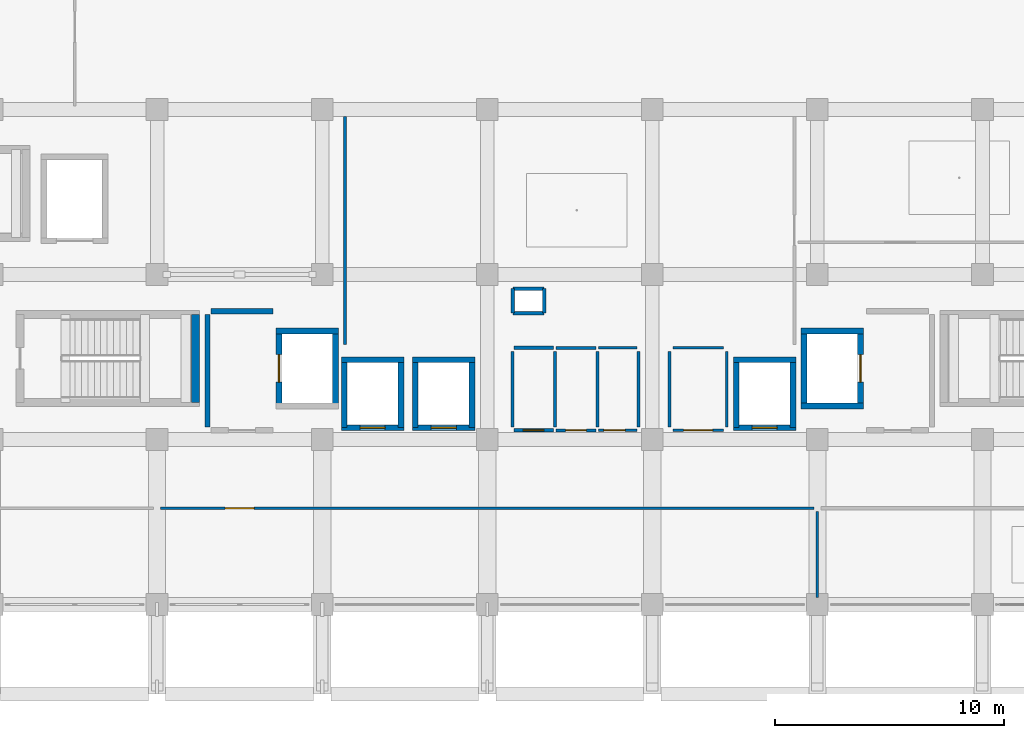
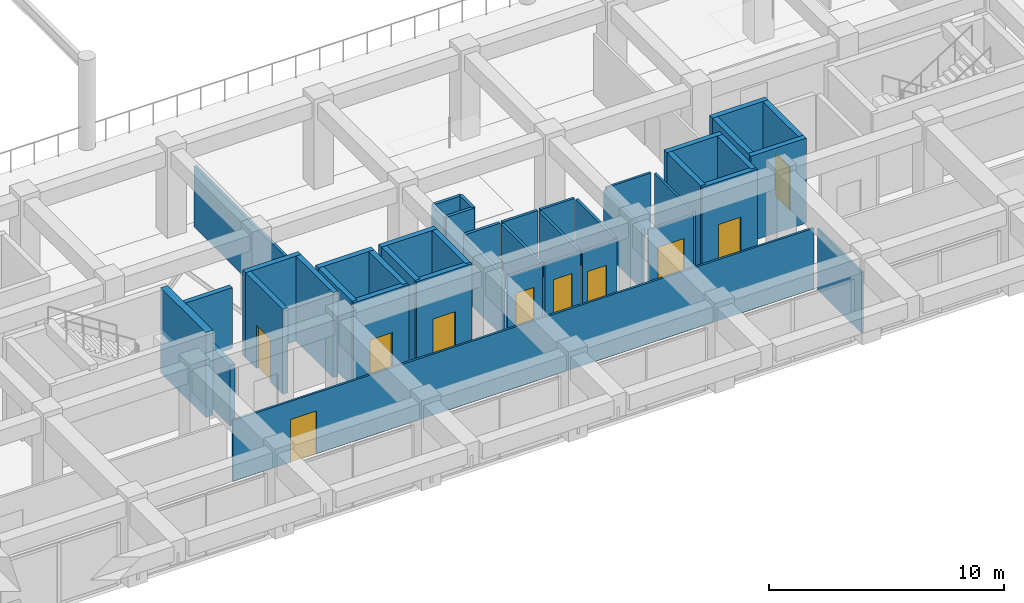
# One storey, part 34 of 54: 43 walls, 10 doors, 10 openings.
"""IFC4 building model written with IfcOpenShell, lengths in metres."""

from ifc_helpers import new_model, si_unit, direction, frame, frame_2d, origin, place, context, subcontext, project, spatial, rectangle, extrude, material, layer, layer_set, type_object, element, fill, save


model = new_model("IFC4")

# Units and contexts
model_context = context("Model", 3, precision=1e-05, world=origin(), true_north=direction((0.0, 1.0)))
body_context = subcontext(model_context, "Body", "Model", "MODEL_VIEW")
ifc_project = project(units=[si_unit("LENGTHUNIT", "METRE"), si_unit("AREAUNIT", "SQUARE_METRE"), si_unit("VOLUMEUNIT", "CUBIC_METRE"), si_unit("PLANEANGLEUNIT", "RADIAN"), si_unit("MASSUNIT", "GRAM", prefix="KILO")], contexts=[model_context])

# Site, building, storey
site_placement = place(None, origin())
site = spatial("IfcSite", under=ifc_project, at=site_placement, CompositionType="ELEMENT")
building_placement = place(site_placement, origin())
building = spatial("IfcBuilding", under=site, at=building_placement, Name="Kazehaya Institute of Natural Sciences", CompositionType="ELEMENT")
storey_placement = place(building_placement, frame((0.0, 0.0, 10.43994140625)))
storey = spatial("IfcBuildingStorey", under=building, at=storey_placement, Name="L02", CompositionType="ELEMENT", Elevation=10.43994140625)

# Walls
ifc_material_1 = material(Name="Concrete Fc42", Category="concrete")
ifc_layer_1 = layer(ifc_material_1, 0.35009765625, Name="Concrete Fc42", Category="concrete")
ifc_layer_set_1 = layer_set([ifc_layer_1], Name="Concrete Fc42")
wall_type_1 = type_object("IfcWallType", Name="WL-CORE-350", PredefinedType="SHEAR", material=ifc_layer_set_1)
wall_1_placement = place(storey_placement, frame((70.679931640625, 26.659912109375, 0.0), z_axis=(0.0, 0.0, 1.0), x_axis=(0.0, -1.0, 0.0)))
element("IfcWall", 1, at=wall_1_placement, inside=storey, type_object=wall_type_1, Name="L02 ST-1 core wall E", PredefinedType="SHEAR", context=body_context, shape_type="SweptSolid", body=[
    extrude(rectangle(XDim=3.83984375, YDim=0.35009765625, at=frame_2d((1.919921875, 0.0))), origin(), (0.0, 0.0, 1.0), 4.41015625),
])
ifc_material_2 = material(Name="Concrete Fc36", Category="concrete")
ifc_layer_2 = layer(ifc_material_2, 0.22998046875, Name="Concrete Fc36", Category="concrete")
ifc_layer_set_2 = layer_set([ifc_layer_2], Name="Concrete Fc36")
wall_type_2 = type_object("IfcWallType", Name="WL-FFL-230", PredefinedType="PARTITIONING", material=ifc_layer_set_2)
wall_2_placement = place(storey_placement, frame((71.35009765625, 26.800048828125, 0.0), z_axis=(0.0, 0.0, 1.0), x_axis=(1.0, 0.0, 0.0)))
element("IfcWall", 2, at=wall_2_placement, inside=storey, type_object=wall_type_2, Name="L02 West Firefighting Lift Lobby partition IW-L02-0130", PredefinedType="PARTITIONING", context=body_context, shape_type="SweptSolid", body=[
    extrude(rectangle(XDim=2.699951171875, YDim=0.22998046875, at=frame_2d((1.35009765625, 0.0))), origin(), (0.0, 0.0, 1.0), 3.16015625),
])
wall_3_placement = place(storey_placement, frame((71.199951171875, 21.75, 0.0), z_axis=(0.0, 0.0, 1.0), x_axis=(0.0, 1.0, 0.0)))
element("IfcWall", 3, at=wall_3_placement, inside=storey, type_object=wall_type_2, Name="L02 West Firefighting Lift Lobby partition IW-L02-0131", PredefinedType="PARTITIONING", context=body_context, shape_type="SweptSolid", body=[
    extrude(rectangle(XDim=4.89990234375, YDim=0.22998046875, at=frame_2d((2.449951171875, 0.0))), origin(), (0.0, 0.0, 1.0), 3.16015625),
])

# Wall, opening, door
ifc_material_3 = material(Name="Lightweight chase partition")
ifc_layer_3 = layer(ifc_material_3, 0.10009765625, Name="Lightweight chase partition")
ifc_layer_set_3 = layer_set([ifc_layer_3], Name="Lightweight chase partition")
wall_type_3 = type_object("IfcWallType", Name="WL-PART-100", PredefinedType="PARTITIONING", material=ifc_layer_set_3)
wall_4_placement = place(storey_placement, frame((69.14990234375, 18.199951171875, 0.0), z_axis=(0.0, 0.0, 1.0), x_axis=(1.0, 0.0, 0.0)))
wall_4 = element("IfcWall", 4, at=wall_4_placement, inside=storey, type_object=wall_type_3, Name="L02 Inorganic Synthesis Laboratory partition IW-L02-0150", PredefinedType="PARTITIONING", context=body_context, shape_type="SweptSolid", body=[
    extrude(rectangle(XDim=28.5, YDim=0.10009765625, at=frame_2d((14.25, 0.0))), origin(), (0.0, 0.0, 1.0), 3.16015625),
])
opening_1_placement = place(wall_4_placement, frame((2.81494140625, 0.0, 0.0)))
opening_1 = element("IfcOpeningElement", 5, at=opening_1_placement, cuts=wall_4, Name="Opening D-L02-0105", PredefinedType="OPENING", context=body_context, shape_type="SweptSolid", body=[
    extrude(rectangle(XDim=1.27001953125, YDim=2.219970703125, at=frame_2d((0.635009765625, 1.10986328125))), frame((0.0, 0.06005859375, 0.0), z_axis=(0.0, -1.0, 0.0), x_axis=(1.0, 0.0, 0.0)), (0.0, 0.0, 1.0), 0.1201171875),
])
ifc_material_4 = material(Name="Flush timber and aluminium laboratory door", Category="wood")
door_type_1 = type_object("IfcDoorType", Name="DT-INT-44", OperationType="NOTDEFINED", PredefinedType="DOOR", material=ifc_material_4)
door_1_placement = place(opening_1_placement, origin())
door_1 = element("IfcDoor", 6, at=door_1_placement, inside=storey, type_object=door_type_1, Name="L02 Inorganic Synthesis Laboratory door D-L02-0105", OperationType="SINGLE_SWING_LEFT", OverallHeight=2.219970703125, OverallWidth=1.27001953125, PredefinedType="DOOR", context=body_context, shape_type="SweptSolid", body=[
    extrude(rectangle(XDim=1.27001953125, YDim=2.219970703125, at=frame_2d((0.635009765625, 1.10986328125))), frame((0.0, 0.02490234375, 0.0), z_axis=(0.0, -1.0, 0.0), x_axis=(1.0, 0.0, 0.0)), (0.0, 0.0, 1.0), 0.050048828125),
])
fill(opening_1, door_1)

# Wall
wall_5_placement = place(storey_placement, frame((97.800048828125, 18.050048828125, 0.0), z_axis=(0.0, 0.0, 1.0), x_axis=(0.0, -1.0, 0.0)))
element("IfcWall", 7, at=wall_5_placement, inside=storey, type_object=wall_type_3, Name="L02 Inorganic Synthesis Laboratory partition IW-L02-0151", PredefinedType="PARTITIONING", context=body_context, shape_type="SweptSolid", body=[
    extrude(rectangle(XDim=3.75, YDim=0.10009765625, at=frame_2d((1.875, 0.0))), origin(), (0.0, 0.0, 1.0), 3.16015625),
])

# Wall, opening, door
ifc_material_5 = material(Name="Glazed office demountable partition")
ifc_layer_4 = layer(ifc_material_5, 0.110107421875, Name="Glazed office demountable partition")
ifc_layer_set_4 = layer_set([ifc_layer_4], Name="Glazed office demountable partition")
wall_type_4 = type_object("IfcWallType", Name="WL-PART-110", PredefinedType="PARTITIONING", material=ifc_layer_set_4)
wall_6_placement = place(storey_placement, frame((93.699951171875, 21.60009765625, 0.0), z_axis=(0.0, 0.0, 1.0), x_axis=(-1.0, 0.0, 0.0)))
wall_6 = element("IfcWall", 8, at=wall_6_placement, inside=storey, type_object=wall_type_4, Name="L02 Ostomate WC partition IW-L02-0145", PredefinedType="PARTITIONING", context=body_context, shape_type="SweptSolid", body=[
    extrude(rectangle(XDim=2.199951171875, YDim=0.110107421875, at=frame_2d((1.10009765625, 0.0))), origin(), (0.0, 0.0, 1.0), 3.16015625),
])
opening_2_placement = place(wall_6_placement, frame((0.465087890625, 0.0, 0.0)))
opening_2 = element("IfcOpeningElement", 9, at=opening_2_placement, cuts=wall_6, Name="Opening D-L02-0103", PredefinedType="OPENING", context=body_context, shape_type="SweptSolid", body=[
    extrude(rectangle(XDim=1.27001953125, YDim=2.10009765625, at=frame_2d((0.635009765625, 1.050048828125))), frame((0.0, 0.06494140625, 0.0), z_axis=(0.0, -1.0, 0.0), x_axis=(1.0, 0.0, 0.0)), (0.0, 0.0, 1.0), 0.130126953125),
])
door_type_2 = type_object("IfcDoorType", Name="DT-INT-42", OperationType="NOTDEFINED", PredefinedType="DOOR", material=ifc_material_4)
door_2_placement = place(opening_2_placement, origin())
door_2 = element("IfcDoor", 10, at=door_2_placement, inside=storey, type_object=door_type_2, Name="L02 Ostomate WC door D-L02-0103", OperationType="SINGLE_SWING_LEFT", OverallHeight=2.10009765625, OverallWidth=1.27001953125, PredefinedType="DOOR", context=body_context, shape_type="SweptSolid", body=[
    extrude(rectangle(XDim=1.27001953125, YDim=2.10009765625, at=frame_2d((0.635009765625, 1.050048828125))), frame((0.0, 0.02490234375, 0.0), z_axis=(0.0, -1.0, 0.0), x_axis=(1.0, 0.0, 0.0)), (0.0, 0.0, 1.0), 0.050048828125),
])
fill(opening_2, door_2)

# Walls
wall_7_placement = place(storey_placement, frame((91.5, 25.199951171875, 0.0), z_axis=(0.0, 0.0, 1.0), x_axis=(1.0, 0.0, 0.0)))
element("IfcWall", 11, at=wall_7_placement, inside=storey, type_object=wall_type_4, Name="L02 Ostomate WC partition IW-L02-0146", PredefinedType="PARTITIONING", context=body_context, shape_type="SweptSolid", body=[
    extrude(rectangle(XDim=2.199951171875, YDim=0.110107421875, at=frame_2d((1.10009765625, 0.0))), origin(), (0.0, 0.0, 1.0), 3.16015625),
])
for number, where, z_axis, x_axis, name in (
    (12, (91.35009765625, 21.75, 0.0), (0.0, 0.0, 1.0), (0.0, 1.0, 0.0), "L02 Ostomate WC partition IW-L02-0147"),
    (13, (93.85009765625, 25.050048828125, 0.0), (0.0, 0.0, 1.0), (0.0, -1.0, 0.0), "L02 Ostomate WC partition IW-L02-0148"),
):
    element("IfcWall", number, at=place(storey_placement, frame(where, z_axis=z_axis, x_axis=x_axis)), inside=storey, type_object=wall_type_4, Name=name, PredefinedType="PARTITIONING", context=body_context, shape_type="SweptSolid", body=[
        extrude(rectangle(XDim=3.300048828125, YDim=0.110107421875, at=frame_2d((1.64990234375, 0.0))), origin(), (0.0, 0.0, 1.0), 3.16015625),
    ])

# Wall, opening, door
ifc_material_6 = material(Name="Gypsum write-up office partition", Category="gypsum")
ifc_layer_5 = layer(ifc_material_6, 0.1201171875, Name="Gypsum write-up office partition", Category="gypsum")
ifc_layer_set_5 = layer_set([ifc_layer_5], Name="Gypsum write-up office partition")
wall_type_5 = type_object("IfcWallType", Name="WL-PART-120", PredefinedType="PARTITIONING", material=ifc_layer_set_5)
wall_8_placement = place(storey_placement, frame((89.93994140625, 21.60009765625, 0.0), z_axis=(0.0, 0.0, 1.0), x_axis=(-1.0, 0.0, 0.0)))
wall_8 = element("IfcWall", 14, at=wall_8_placement, inside=storey, type_object=wall_type_5, Name="L02 Accessible WC partition IW-L02-0142", PredefinedType="PARTITIONING", context=body_context, shape_type="SweptSolid", body=[
    extrude(rectangle(XDim=1.679931640625, YDim=0.1201171875, at=frame_2d((0.83984375, 0.0))), origin(), (0.0, 0.0, 1.0), 3.16015625),
])
opening_3_placement = place(wall_8_placement, frame((0.52490234375, 0.0, 0.0)))
opening_3 = element("IfcOpeningElement", 15, at=opening_3_placement, cuts=wall_8, Name="Opening D-L02-0102", PredefinedType="OPENING", context=body_context, shape_type="SweptSolid", body=[
    extrude(rectangle(XDim=0.929931640625, YDim=2.050048828125, at=frame_2d((0.46484375, 1.02490234375))), frame((0.0, 0.070068359375, 0.0), z_axis=(0.0, -1.0, 0.0), x_axis=(1.0, 0.0, 0.0)), (0.0, 0.0, 1.0), 0.14013671875),
])
door_type_3 = type_object("IfcDoorType", Name="DT-INT-05", OperationType="NOTDEFINED", PredefinedType="DOOR", material=ifc_material_4)
door_3_placement = place(opening_3_placement, origin())
door_3 = element("IfcDoor", 16, at=door_3_placement, inside=storey, type_object=door_type_3, Name="L02 Accessible WC door D-L02-0102", OperationType="SINGLE_SWING_RIGHT", OverallHeight=2.050048828125, OverallWidth=0.929931640625, PredefinedType="DOOR", context=body_context, shape_type="SweptSolid", body=[
    extrude(rectangle(XDim=0.929931640625, YDim=2.050048828125, at=frame_2d((0.46484375, 1.02490234375))), frame((0.0, 0.02490234375, 0.0), z_axis=(0.0, -1.0, 0.0), x_axis=(1.0, 0.0, 0.0)), (0.0, 0.0, 1.0), 0.050048828125),
])
fill(opening_3, door_3)

# Walls
wall_9_placement = place(storey_placement, frame((88.260009765625, 25.199951171875, 0.0), z_axis=(0.0, 0.0, 1.0), x_axis=(1.0, 0.0, 0.0)))
element("IfcWall", 17, at=wall_9_placement, inside=storey, type_object=wall_type_5, Name="L02 Accessible WC partition IW-L02-0143", PredefinedType="PARTITIONING", context=body_context, shape_type="SweptSolid", body=[
    extrude(rectangle(XDim=1.679931640625, YDim=0.1201171875, at=frame_2d((0.83984375, 0.0))), origin(), (0.0, 0.0, 1.0), 3.16015625),
])
wall_10_placement = place(storey_placement, frame((90.0, 25.050048828125, 0.0), z_axis=(0.0, 0.0, 1.0), x_axis=(0.0, -1.0, 0.0)))
element("IfcWall", 18, at=wall_10_placement, inside=storey, type_object=wall_type_5, Name="L02 Accessible WC partition IW-L02-0144", PredefinedType="PARTITIONING", context=body_context, shape_type="SweptSolid", body=[
    extrude(rectangle(XDim=3.300048828125, YDim=0.1201171875, at=frame_2d((1.64990234375, 0.0))), origin(), (0.0, 0.0, 1.0), 3.16015625),
])

# Wall, opening, door
ifc_material_7 = material(Name="Moisture-resistant WC partition")
ifc_layer_6 = layer(ifc_material_7, 0.1298828125, Name="Moisture-resistant WC partition")
ifc_layer_set_6 = layer_set([ifc_layer_6], Name="Moisture-resistant WC partition")
wall_type_6 = type_object("IfcWallType", Name="WL-PART-130", PredefinedType="PARTITIONING", material=ifc_layer_set_6)
wall_11_placement = place(storey_placement, frame((88.139892578125, 21.60009765625, 0.0), z_axis=(0.0, 0.0, 1.0), x_axis=(-1.0, 0.0, 0.0)))
wall_11 = element("IfcWall", 19, at=wall_11_placement, inside=storey, type_object=wall_type_6, Name="L02 Female WC partition IW-L02-0139", PredefinedType="PARTITIONING", context=body_context, shape_type="SweptSolid", body=[
    extrude(rectangle(XDim=1.72998046875, YDim=0.1298828125, at=frame_2d((0.864990234375, 0.0))), origin(), (0.0, 0.0, 1.0), 3.16015625),
])
opening_4_placement = place(wall_11_placement, frame((0.419921875, 0.0, 0.0)))
opening_4 = element("IfcOpeningElement", 20, at=opening_4_placement, cuts=wall_11, Name="Opening D-L02-0101", PredefinedType="OPENING", context=body_context, shape_type="SweptSolid", body=[
    extrude(rectangle(XDim=0.89990234375, YDim=2.219970703125, at=frame_2d((0.449951171875, 1.10986328125))), frame((0.0, 0.074951171875, 0.0), z_axis=(0.0, -1.0, 0.0), x_axis=(1.0, 0.0, 0.0)), (0.0, 0.0, 1.0), 0.14990234375),
])
door_type_4 = type_object("IfcDoorType", Name="DT-INT-04", OperationType="NOTDEFINED", PredefinedType="DOOR", material=ifc_material_4)
door_4_placement = place(opening_4_placement, origin())
door_4 = element("IfcDoor", 21, at=door_4_placement, inside=storey, type_object=door_type_4, Name="L02 Female WC door D-L02-0101", OperationType="SINGLE_SWING_LEFT", OverallHeight=2.219970703125, OverallWidth=0.89990234375, PredefinedType="DOOR", context=body_context, shape_type="SweptSolid", body=[
    extrude(rectangle(XDim=0.89990234375, YDim=2.219970703125, at=frame_2d((0.449951171875, 1.10986328125))), frame((0.0, 0.02490234375, 0.0), z_axis=(0.0, -1.0, 0.0), x_axis=(1.0, 0.0, 0.0)), (0.0, 0.0, 1.0), 0.050048828125),
])
fill(opening_4, door_4)

# Walls
wall_12_placement = place(storey_placement, frame((86.409912109375, 25.199951171875, 0.0), z_axis=(0.0, 0.0, 1.0), x_axis=(1.0, 0.0, 0.0)))
element("IfcWall", 22, at=wall_12_placement, inside=storey, type_object=wall_type_6, Name="L02 Female WC partition IW-L02-0140", PredefinedType="PARTITIONING", context=body_context, shape_type="SweptSolid", body=[
    extrude(rectangle(XDim=1.72998046875, YDim=0.1298828125, at=frame_2d((0.864990234375, 0.0))), origin(), (0.0, 0.0, 1.0), 3.16015625),
])
wall_13_placement = place(storey_placement, frame((88.199951171875, 25.050048828125, 0.0), z_axis=(0.0, 0.0, 1.0), x_axis=(0.0, -1.0, 0.0)))
element("IfcWall", 23, at=wall_13_placement, inside=storey, type_object=wall_type_6, Name="L02 Female WC partition IW-L02-0141", PredefinedType="PARTITIONING", context=body_context, shape_type="SweptSolid", body=[
    extrude(rectangle(XDim=3.300048828125, YDim=0.1298828125, at=frame_2d((1.64990234375, 0.0))), origin(), (0.0, 0.0, 1.0), 3.16015625),
])
wall_14_placement = place(storey_placement, frame((77.199951171875, 25.35009765625, 0.0), z_axis=(0.0, 0.0, 1.0), x_axis=(0.0, 1.0, 0.0)))
element("IfcWall", 24, at=wall_14_placement, inside=storey, type_object=wall_type_6, Name="L02 Chromatography Laboratory partition IW-L02-0153", PredefinedType="PARTITIONING", context=body_context, shape_type="SweptSolid", body=[
    extrude(rectangle(XDim=9.949951171875, YDim=0.1298828125, at=frame_2d((4.97509765625, 0.0))), origin(), (0.0, 0.0, 1.0), 3.16015625),
])

# Wall, opening, door
ifc_material_8 = material(Name="Gypsum partition", Category="gypsum")
ifc_layer_7 = layer(ifc_material_8, 0.139892578125, Name="Gypsum partition", Category="gypsum")
ifc_layer_set_7 = layer_set([ifc_layer_7], Name="Gypsum partition")
wall_type_7 = type_object("IfcWallType", Name="WL-PART-140", PredefinedType="PARTITIONING", material=ifc_layer_set_7)
wall_15_placement = place(storey_placement, frame((86.2900390625, 21.60009765625, 0.0), z_axis=(0.0, 0.0, 1.0), x_axis=(-1.0, 0.0, 0.0)))
wall_15 = element("IfcWall", 25, at=wall_15_placement, inside=storey, type_object=wall_type_7, Name="L02 Male WC partition IW-L02-0135", PredefinedType="PARTITIONING", context=body_context, shape_type="SweptSolid", body=[
    extrude(rectangle(XDim=1.72998046875, YDim=0.139892578125, at=frame_2d((0.864990234375, 0.0))), origin(), (0.0, 0.0, 1.0), 3.16015625),
])
opening_5_placement = place(wall_15_placement, frame((0.419921875, 0.0, 0.0)))
opening_5 = element("IfcOpeningElement", 26, at=opening_5_placement, cuts=wall_15, Name="Opening D-L02-0100", PredefinedType="OPENING", context=body_context, shape_type="SweptSolid", body=[
    extrude(rectangle(XDim=0.89990234375, YDim=2.159912109375, at=frame_2d((0.449951171875, 1.080078125))), frame((0.0, 0.079833984375, 0.0), z_axis=(0.0, -1.0, 0.0), x_axis=(1.0, 0.0, 0.0)), (0.0, 0.0, 1.0), 0.159912109375),
])
door_type_5 = type_object("IfcDoorType", Name="DT-INT-03", OperationType="NOTDEFINED", PredefinedType="DOOR", material=ifc_material_4)
door_5_placement = place(opening_5_placement, origin())
door_5 = element("IfcDoor", 27, at=door_5_placement, inside=storey, type_object=door_type_5, Name="L02 Male WC door D-L02-0100", OperationType="SINGLE_SWING_RIGHT", OverallHeight=2.159912109375, OverallWidth=0.89990234375, PredefinedType="DOOR", context=body_context, shape_type="SweptSolid", body=[
    extrude(rectangle(XDim=0.89990234375, YDim=2.159912109375, at=frame_2d((0.449951171875, 1.080078125))), frame((0.0, 0.02490234375, 0.0), z_axis=(0.0, -1.0, 0.0), x_axis=(1.0, 0.0, 0.0)), (0.0, 0.0, 1.0), 0.050048828125),
])
fill(opening_5, door_5)

# Walls
wall_16_placement = place(storey_placement, frame((84.56005859375, 25.199951171875, 0.0), z_axis=(0.0, 0.0, 1.0), x_axis=(1.0, 0.0, 0.0)))
element("IfcWall", 28, at=wall_16_placement, inside=storey, type_object=wall_type_7, Name="L02 Male WC partition IW-L02-0136", PredefinedType="PARTITIONING", context=body_context, shape_type="SweptSolid", body=[
    extrude(rectangle(XDim=1.72998046875, YDim=0.139892578125, at=frame_2d((0.864990234375, 0.0))), origin(), (0.0, 0.0, 1.0), 3.16015625),
])
for number, where, z_axis, x_axis, name in (
    (29, (84.5, 21.75, 0.0), (0.0, 0.0, 1.0), (0.0, 1.0, 0.0), "L02 Male WC partition IW-L02-0137"),
    (30, (86.35009765625, 25.050048828125, 0.0), (0.0, 0.0, 1.0), (0.0, -1.0, 0.0), "L02 Male WC partition IW-L02-0138"),
):
    element("IfcWall", number, at=place(storey_placement, frame(where, z_axis=z_axis, x_axis=x_axis)), inside=storey, type_object=wall_type_7, Name=name, PredefinedType="PARTITIONING", context=body_context, shape_type="SweptSolid", body=[
        extrude(rectangle(XDim=3.300048828125, YDim=0.139892578125, at=frame_2d((1.64990234375, 0.0))), origin(), (0.0, 0.0, 1.0), 3.16015625),
    ])
ifc_layer_8 = layer(ifc_material_2, 0.14990234375, Name="Concrete Fc36", Category="concrete")
ifc_layer_set_8 = layer_set([ifc_layer_8], Name="Concrete Fc36")
wall_type_8 = type_object("IfcWallType", Name="WL-RISER-150", PredefinedType="PARTITIONING", material=ifc_layer_set_8)
for number, where, z_axis, x_axis, name in (
    (31, (85.885009765625, 26.715087890625, 0.0), (0.0, 0.0, 1.0), (-1.0, 0.0, 0.0), "L02 fume exhaust riser shaft wall 25"),
    (32, (84.514892578125, 27.784912109375, 0.0), (0.0, 0.0, 1.0), (1.0, 0.0, 0.0), "L02 fume exhaust riser shaft wall 25"),
):
    element("IfcWall", number, at=place(storey_placement, frame(where, z_axis=z_axis, x_axis=x_axis)), inside=storey, type_object=wall_type_8, Name=name, PredefinedType="PARTITIONING", context=body_context, shape_type="SweptSolid", body=[
        extrude(rectangle(XDim=1.3701171875, YDim=0.14990234375, at=frame_2d((0.68505859375, 0.0))), origin(), (0.0, 0.0, 1.0), 3.16015625),
    ])
for number, where, z_axis, x_axis, name in (
    (33, (84.514892578125, 26.715087890625, 0.0), (0.0, 0.0, 1.0), (0.0, 1.0, 0.0), "L02 fume exhaust riser shaft wall 25"),
    (34, (85.885009765625, 27.784912109375, 0.0), (0.0, 0.0, 1.0), (0.0, -1.0, 0.0), "L02 fume exhaust riser shaft wall 25"),
):
    element("IfcWall", number, at=place(storey_placement, frame(where, z_axis=z_axis, x_axis=x_axis)), inside=storey, type_object=wall_type_8, Name=name, PredefinedType="PARTITIONING", context=body_context, shape_type="SweptSolid", body=[
        extrude(rectangle(XDim=1.06982421875, YDim=0.14990234375, at=frame_2d((0.534912109375, 0.0))), origin(), (0.0, 0.0, 1.0), 3.16015625),
    ])
ifc_layer_9 = layer(ifc_material_1, 0.25, Name="Concrete Fc42", Category="concrete")
ifc_layer_set_9 = layer_set([ifc_layer_9], Name="Concrete Fc42")
wall_type_9 = type_object("IfcWallType", Name="WL-SHAFT-250", PredefinedType="SHEAR", material=ifc_layer_set_9)
wall_17_placement = place(storey_placement, frame((74.18994140625, 25.93505859375, 0.0), z_axis=(0.0, 0.0, 1.0), x_axis=(1.0, 0.0, 0.0)))
element("IfcWall", 35, at=wall_17_placement, inside=storey, type_object=wall_type_9, Name="L02 EL07 lift shaft wall north", PredefinedType="SHEAR", context=body_context, shape_type="SweptSolid", body=[
    extrude(rectangle(XDim=2.719970703125, YDim=0.25, at=frame_2d((1.35986328125, 0.0))), origin(), (0.0, 0.0, 1.0), 4.41015625),
])

# Wall, opening, door
wall_18_placement = place(storey_placement, frame((74.31494140625, 22.6650390625, 0.0), z_axis=(0.0, 0.0, 1.0), x_axis=(0.0, 1.0, 0.0)))
wall_18 = element("IfcWall", 36, at=wall_18_placement, inside=storey, type_object=wall_type_9, Name="L02 EL07 lift shaft wall west", PredefinedType="SHEAR", context=body_context, shape_type="SweptSolid", body=[
    extrude(rectangle(XDim=3.27001953125, YDim=0.25, at=frame_2d((1.635009765625, 0.0))), origin(), (0.0, 0.0, 1.0), 4.41015625),
])
opening_6_placement = place(wall_18_placement, frame((1.034912109375, 0.0, 0.0)))
opening_6 = element("IfcOpeningElement", 37, at=opening_6_placement, cuts=wall_18, Name="Opening LD-04", PredefinedType="OPENING", context=body_context, shape_type="SweptSolid", body=[
    extrude(rectangle(XDim=1.199951171875, YDim=2.25, at=frame_2d((0.60009765625, 1.125))), frame((0.0, 0.135009765625, 0.0), z_axis=(0.0, -1.0, 0.0), x_axis=(1.0, 0.0, 0.0)), (0.0, 0.0, 1.0), 0.27001953125),
])
ifc_material_9 = material(Name="Stainless-steel emergency lift landing door", Category="steel")
door_type_6 = type_object("IfcDoorType", Name="DT-LD-1200x2250", OperationType="SLIDING_TO_LEFT", PredefinedType="DOOR", material=ifc_material_9)
door_6_placement = place(opening_6_placement, origin())
door_6 = element("IfcDoor", 38, at=door_6_placement, inside=storey, type_object=door_type_6, Name="L02 EL07 sliding landing door LD-04", OperationType="SLIDING_TO_LEFT", OverallHeight=2.25, OverallWidth=1.199951171875, PredefinedType="DOOR", context=body_context, shape_type="SweptSolid", body=[
    extrude(rectangle(XDim=1.199951171875, YDim=2.25, at=frame_2d((0.60009765625, 1.125))), frame((0.0, 0.02490234375, 0.0), z_axis=(0.0, -1.0, 0.0), x_axis=(1.0, 0.0, 0.0)), (0.0, 0.0, 1.0), 0.050048828125),
])
fill(opening_6, door_6)

# Walls
wall_19_placement = place(storey_placement, frame((76.784912109375, 25.93505859375, 0.0), z_axis=(0.0, 0.0, 1.0), x_axis=(0.0, -1.0, 0.0)))
element("IfcWall", 39, at=wall_19_placement, inside=storey, type_object=wall_type_9, Name="L02 EL07 lift shaft wall east", PredefinedType="SHEAR", context=body_context, shape_type="SweptSolid", body=[
    extrude(rectangle(XDim=3.27001953125, YDim=0.25, at=frame_2d((1.635009765625, 0.0))), origin(), (0.0, 0.0, 1.0), 4.41015625),
])
for number, where, z_axis, x_axis, name in (
    (40, (99.81005859375, 22.6650390625, 0.0), (0.0, 0.0, 1.0), (-1.0, 0.0, 0.0), "L02 EL08 lift shaft wall south"),
    (41, (97.090087890625, 25.93505859375, 0.0), (0.0, 0.0, 1.0), (1.0, 0.0, 0.0), "L02 EL08 lift shaft wall north"),
):
    element("IfcWall", number, at=place(storey_placement, frame(where, z_axis=z_axis, x_axis=x_axis)), inside=storey, type_object=wall_type_9, Name=name, PredefinedType="SHEAR", context=body_context, shape_type="SweptSolid", body=[
        extrude(rectangle(XDim=2.719970703125, YDim=0.25, at=frame_2d((1.35986328125, 0.0))), origin(), (0.0, 0.0, 1.0), 4.41015625),
    ])
wall_20_placement = place(storey_placement, frame((97.215087890625, 22.6650390625, 0.0), z_axis=(0.0, 0.0, 1.0), x_axis=(0.0, 1.0, 0.0)))
element("IfcWall", 42, at=wall_20_placement, inside=storey, type_object=wall_type_9, Name="L02 EL08 lift shaft wall west", PredefinedType="SHEAR", context=body_context, shape_type="SweptSolid", body=[
    extrude(rectangle(XDim=3.27001953125, YDim=0.25, at=frame_2d((1.635009765625, 0.0))), origin(), (0.0, 0.0, 1.0), 4.41015625),
])

# Wall, opening, door
wall_21_placement = place(storey_placement, frame((99.68505859375, 25.93505859375, 0.0), z_axis=(0.0, 0.0, 1.0), x_axis=(0.0, -1.0, 0.0)))
wall_21 = element("IfcWall", 43, at=wall_21_placement, inside=storey, type_object=wall_type_9, Name="L02 EL08 lift shaft wall east", PredefinedType="SHEAR", context=body_context, shape_type="SweptSolid", body=[
    extrude(rectangle(XDim=3.27001953125, YDim=0.25, at=frame_2d((1.635009765625, 0.0))), origin(), (0.0, 0.0, 1.0), 4.41015625),
])
opening_7_placement = place(wall_21_placement, frame((1.034912109375, 0.0, 0.0)))
opening_7 = element("IfcOpeningElement", 44, at=opening_7_placement, cuts=wall_21, Name="Opening LD-15", PredefinedType="OPENING", context=body_context, shape_type="SweptSolid", body=[
    extrude(rectangle(XDim=1.199951171875, YDim=2.25, at=frame_2d((0.60009765625, 1.125))), frame((0.0, 0.135009765625, 0.0), z_axis=(0.0, -1.0, 0.0), x_axis=(1.0, 0.0, 0.0)), (0.0, 0.0, 1.0), 0.27001953125),
])
door_7_placement = place(opening_7_placement, origin())
door_7 = element("IfcDoor", 45, at=door_7_placement, inside=storey, type_object=door_type_6, Name="L02 EL08 sliding landing door LD-15", OperationType="SLIDING_TO_LEFT", OverallHeight=2.25, OverallWidth=1.199951171875, PredefinedType="DOOR", context=body_context, shape_type="SweptSolid", body=[
    extrude(rectangle(XDim=1.199951171875, YDim=2.25, at=frame_2d((0.60009765625, 1.125))), frame((0.0, 0.02490234375, 0.0), z_axis=(0.0, -1.0, 0.0), x_axis=(1.0, 0.0, 0.0)), (0.0, 0.0, 1.0), 0.050048828125),
])
fill(opening_7, door_7)

wall_22_placement = place(storey_placement, frame((79.760009765625, 21.715087890625, 0.0), z_axis=(0.0, 0.0, 1.0), x_axis=(-1.0, 0.0, 0.0)))
wall_22 = element("IfcWall", 46, at=wall_22_placement, inside=storey, type_object=wall_type_9, Name="L02 EL01 lift shaft wall south", PredefinedType="SHEAR", context=body_context, shape_type="SweptSolid", body=[
    extrude(rectangle(XDim=2.719970703125, YDim=0.25, at=frame_2d((1.35986328125, 0.0))), origin(), (0.0, 0.0, 1.0), 4.41015625),
])
opening_8_placement = place(wall_22_placement, frame((0.81005859375, 0.0, 0.0)))
opening_8 = element("IfcOpeningElement", 47, at=opening_8_placement, cuts=wall_22, Name="Opening LD-26", PredefinedType="OPENING", context=body_context, shape_type="SweptSolid", body=[
    extrude(rectangle(XDim=1.10009765625, YDim=2.199951171875, at=frame_2d((0.550048828125, 1.10009765625))), frame((0.0, 0.135009765625, 0.0), z_axis=(0.0, -1.0, 0.0), x_axis=(1.0, 0.0, 0.0)), (0.0, 0.0, 1.0), 0.27001953125),
])
ifc_material_10 = material(Name="Stainless-steel sliding landing door", Category="steel")
door_type_7 = type_object("IfcDoorType", Name="DT-LD-1100x2200", OperationType="SLIDING_TO_LEFT", PredefinedType="DOOR", material=ifc_material_10)
door_8_placement = place(opening_8_placement, origin())
door_8 = element("IfcDoor", 48, at=door_8_placement, inside=storey, type_object=door_type_7, Name="L02 EL01 sliding landing door LD-26", OperationType="SLIDING_TO_LEFT", OverallHeight=2.199951171875, OverallWidth=1.10009765625, PredefinedType="DOOR", context=body_context, shape_type="SweptSolid", body=[
    extrude(rectangle(XDim=1.10009765625, YDim=2.199951171875, at=frame_2d((0.550048828125, 1.10009765625))), frame((0.0, 0.02490234375, 0.0), z_axis=(0.0, -1.0, 0.0), x_axis=(1.0, 0.0, 0.0)), (0.0, 0.0, 1.0), 0.050048828125),
])
fill(opening_8, door_8)

# Walls
wall_23_placement = place(storey_placement, frame((77.0400390625, 24.68505859375, 0.0), z_axis=(0.0, 0.0, 1.0), x_axis=(1.0, 0.0, 0.0)))
element("IfcWall", 49, at=wall_23_placement, inside=storey, type_object=wall_type_9, Name="L02 EL01 lift shaft wall north", PredefinedType="SHEAR", context=body_context, shape_type="SweptSolid", body=[
    extrude(rectangle(XDim=2.719970703125, YDim=0.25, at=frame_2d((1.35986328125, 0.0))), origin(), (0.0, 0.0, 1.0), 4.41015625),
])
for number, where, z_axis, x_axis, name in (
    (50, (77.1650390625, 21.715087890625, 0.0), (0.0, 0.0, 1.0), (0.0, 1.0, 0.0), "L02 EL01 lift shaft wall west"),
    (51, (79.635009765625, 24.68505859375, 0.0), (0.0, 0.0, 1.0), (0.0, -1.0, 0.0), "L02 EL01 lift shaft wall east"),
):
    element("IfcWall", number, at=place(storey_placement, frame(where, z_axis=z_axis, x_axis=x_axis)), inside=storey, type_object=wall_type_9, Name=name, PredefinedType="SHEAR", context=body_context, shape_type="SweptSolid", body=[
        extrude(rectangle(XDim=2.969970703125, YDim=0.25, at=frame_2d((1.48486328125, 0.0))), origin(), (0.0, 0.0, 1.0), 4.41015625),
    ])

# Wall, opening, door
wall_24_placement = place(storey_placement, frame((82.860107421875, 21.715087890625, 0.0), z_axis=(0.0, 0.0, 1.0), x_axis=(-1.0, 0.0, 0.0)))
wall_24 = element("IfcWall", 52, at=wall_24_placement, inside=storey, type_object=wall_type_9, Name="L02 EL02 lift shaft wall south", PredefinedType="SHEAR", context=body_context, shape_type="SweptSolid", body=[
    extrude(rectangle(XDim=2.72021484375, YDim=0.25, at=frame_2d((1.360107421875, 0.0))), origin(), (0.0, 0.0, 1.0), 4.41015625),
])
opening_9_placement = place(wall_24_placement, frame((0.81005859375, 0.0, 0.0)))
opening_9 = element("IfcOpeningElement", 53, at=opening_9_placement, cuts=wall_24, Name="Opening LD-37", PredefinedType="OPENING", context=body_context, shape_type="SweptSolid", body=[
    extrude(rectangle(XDim=1.10009765625, YDim=2.199951171875, at=frame_2d((0.550048828125, 1.10009765625))), frame((0.0, 0.135009765625, 0.0), z_axis=(0.0, -1.0, 0.0), x_axis=(1.0, 0.0, 0.0)), (0.0, 0.0, 1.0), 0.27001953125),
])
door_9_placement = place(opening_9_placement, origin())
door_9 = element("IfcDoor", 54, at=door_9_placement, inside=storey, type_object=door_type_7, Name="L02 EL02 sliding landing door LD-37", OperationType="SLIDING_TO_LEFT", OverallHeight=2.199951171875, OverallWidth=1.10009765625, PredefinedType="DOOR", context=body_context, shape_type="SweptSolid", body=[
    extrude(rectangle(XDim=1.10009765625, YDim=2.199951171875, at=frame_2d((0.550048828125, 1.10009765625))), frame((0.0, 0.02490234375, 0.0), z_axis=(0.0, -1.0, 0.0), x_axis=(1.0, 0.0, 0.0)), (0.0, 0.0, 1.0), 0.050048828125),
])
fill(opening_9, door_9)

# Walls
wall_25_placement = place(storey_placement, frame((80.139892578125, 24.68505859375, 0.0), z_axis=(0.0, 0.0, 1.0), x_axis=(1.0, 0.0, 0.0)))
element("IfcWall", 55, at=wall_25_placement, inside=storey, type_object=wall_type_9, Name="L02 EL02 lift shaft wall north", PredefinedType="SHEAR", context=body_context, shape_type="SweptSolid", body=[
    extrude(rectangle(XDim=2.72021484375, YDim=0.25, at=frame_2d((1.360107421875, 0.0))), origin(), (0.0, 0.0, 1.0), 4.41015625),
])
for number, where, z_axis, x_axis, name in (
    (56, (80.264892578125, 21.715087890625, 0.0), (0.0, 0.0, 1.0), (0.0, 1.0, 0.0), "L02 EL02 lift shaft wall west"),
    (57, (82.735107421875, 24.68505859375, 0.0), (0.0, 0.0, 1.0), (0.0, -1.0, 0.0), "L02 EL02 lift shaft wall east"),
):
    element("IfcWall", number, at=place(storey_placement, frame(where, z_axis=z_axis, x_axis=x_axis)), inside=storey, type_object=wall_type_9, Name=name, PredefinedType="SHEAR", context=body_context, shape_type="SweptSolid", body=[
        extrude(rectangle(XDim=2.969970703125, YDim=0.25, at=frame_2d((1.48486328125, 0.0))), origin(), (0.0, 0.0, 1.0), 4.41015625),
    ])

# Wall, opening, door
wall_26_placement = place(storey_placement, frame((96.860107421875, 21.715087890625, 0.0), z_axis=(0.0, 0.0, 1.0), x_axis=(-1.0, 0.0, 0.0)))
wall_26 = element("IfcWall", 58, at=wall_26_placement, inside=storey, type_object=wall_type_9, Name="L02 EL03 lift shaft wall south", PredefinedType="SHEAR", context=body_context, shape_type="SweptSolid", body=[
    extrude(rectangle(XDim=2.72021484375, YDim=0.25, at=frame_2d((1.360107421875, 0.0))), origin(), (0.0, 0.0, 1.0), 4.41015625),
])
opening_10_placement = place(wall_26_placement, frame((0.81005859375, 0.0, 0.0)))
opening_10 = element("IfcOpeningElement", 59, at=opening_10_placement, cuts=wall_26, Name="Opening LD-48", PredefinedType="OPENING", context=body_context, shape_type="SweptSolid", body=[
    extrude(rectangle(XDim=1.10009765625, YDim=2.199951171875, at=frame_2d((0.550048828125, 1.10009765625))), frame((0.0, 0.135009765625, 0.0), z_axis=(0.0, -1.0, 0.0), x_axis=(1.0, 0.0, 0.0)), (0.0, 0.0, 1.0), 0.27001953125),
])
door_10_placement = place(opening_10_placement, origin())
door_10 = element("IfcDoor", 60, at=door_10_placement, inside=storey, type_object=door_type_7, Name="L02 EL03 sliding landing door LD-48", OperationType="SLIDING_TO_LEFT", OverallHeight=2.199951171875, OverallWidth=1.10009765625, PredefinedType="DOOR", context=body_context, shape_type="SweptSolid", body=[
    extrude(rectangle(XDim=1.10009765625, YDim=2.199951171875, at=frame_2d((0.550048828125, 1.10009765625))), frame((0.0, 0.02490234375, 0.0), z_axis=(0.0, -1.0, 0.0), x_axis=(1.0, 0.0, 0.0)), (0.0, 0.0, 1.0), 0.050048828125),
])
fill(opening_10, door_10)

# Walls
wall_27_placement = place(storey_placement, frame((94.139892578125, 24.68505859375, 0.0), z_axis=(0.0, 0.0, 1.0), x_axis=(1.0, 0.0, 0.0)))
element("IfcWall", 61, at=wall_27_placement, inside=storey, type_object=wall_type_9, Name="L02 EL03 lift shaft wall north", PredefinedType="SHEAR", context=body_context, shape_type="SweptSolid", body=[
    extrude(rectangle(XDim=2.72021484375, YDim=0.25, at=frame_2d((1.360107421875, 0.0))), origin(), (0.0, 0.0, 1.0), 4.41015625),
])
for number, where, z_axis, x_axis, name in (
    (62, (94.264892578125, 21.715087890625, 0.0), (0.0, 0.0, 1.0), (0.0, 1.0, 0.0), "L02 EL03 lift shaft wall west"),
    (63, (96.735107421875, 24.68505859375, 0.0), (0.0, 0.0, 1.0), (0.0, -1.0, 0.0), "L02 EL03 lift shaft wall east"),
):
    element("IfcWall", number, at=place(storey_placement, frame(where, z_axis=z_axis, x_axis=x_axis)), inside=storey, type_object=wall_type_9, Name=name, PredefinedType="SHEAR", context=body_context, shape_type="SweptSolid", body=[
        extrude(rectangle(XDim=2.969970703125, YDim=0.25, at=frame_2d((1.48486328125, 0.0))), origin(), (0.0, 0.0, 1.0), 4.41015625),
    ])

save(model, "model.ifc")
